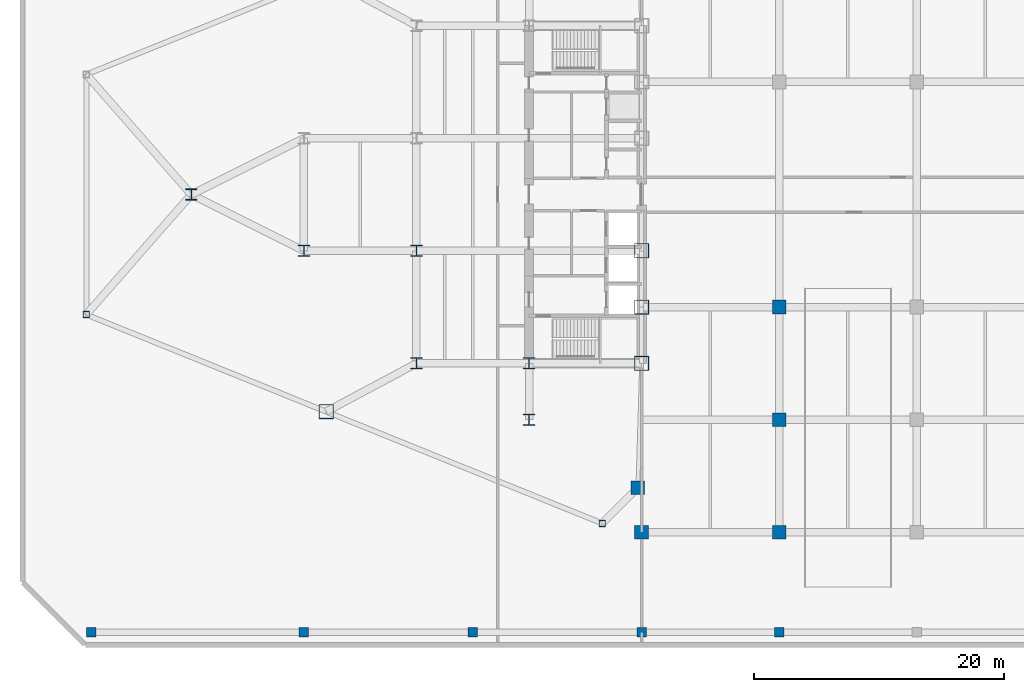
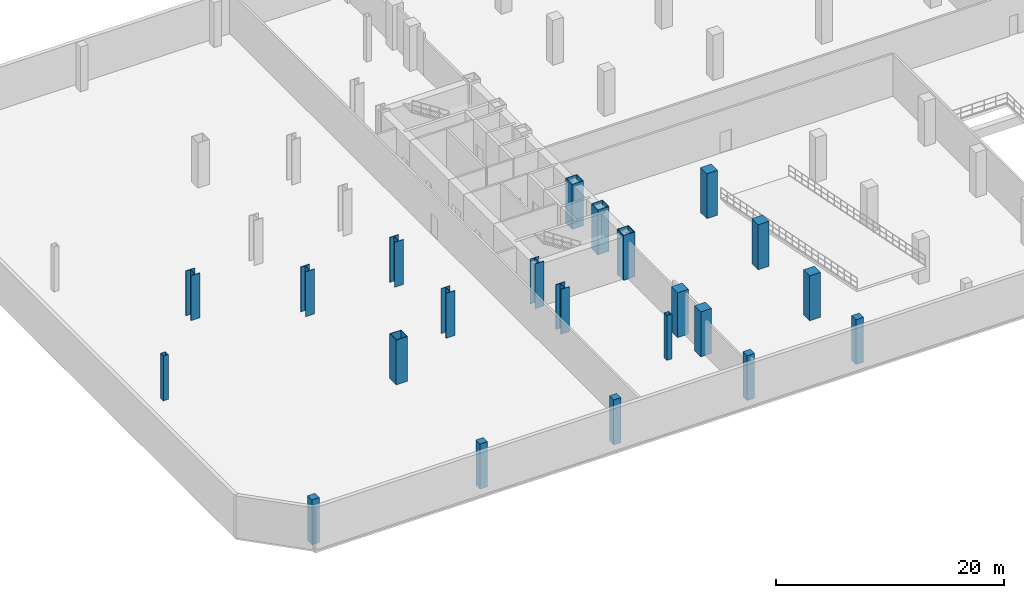
# One storey, part 1 of 18: 22 columns.
"""IFC4 building model written with IfcOpenShell, lengths in metres."""

from ifc_helpers import new_model, si_unit, direction, frame, origin, origin_2d, place, context, subcontext, project, spatial, rectangle, hollow_rectangle, i_section, extrude, source, transform, mapped, material, material_profile, profile_set, type_object, type_shapes, element, save


model = new_model("IFC4")

# Units and contexts
model_context = context("Model", 3, precision=1e-05, world=origin(), true_north=direction((0.0, 1.0)))
body_context = subcontext(model_context, "Body", "Model", "MODEL_VIEW")
ifc_project = project(units=[si_unit("LENGTHUNIT", "METRE"), si_unit("AREAUNIT", "SQUARE_METRE"), si_unit("VOLUMEUNIT", "CUBIC_METRE"), si_unit("PLANEANGLEUNIT", "RADIAN"), si_unit("MASSUNIT", "GRAM", prefix="KILO")], contexts=[model_context])

# Site, building, storey
site_placement = place(None, origin())
site = spatial("IfcSite", under=ifc_project, at=site_placement, CompositionType="ELEMENT")
building_placement = place(site_placement, origin())
building = spatial("IfcBuilding", under=site, at=building_placement, Name="Seokmaru Belvedere", CompositionType="ELEMENT")
storey_placement = place(building_placement, frame((0.0, 0.0, -4.800048828125)))
storey = spatial("IfcBuildingStorey", under=building, at=storey_placement, Name="B1", CompositionType="ELEMENT", Elevation=-4.800048828125)

# Columns
ifc_material_1 = material(Name="Steel HSA650 (650 MPa)", Category="steel")
ifc_material_profile_1 = material_profile(ifc_material_1, hollow_rectangle(XDim=1.14990234375, YDim=1.14990234375, WallThickness=0.048095703125, at=origin_2d()), Name="BOX-1150x1150x48")
ifc_profile_set_1 = profile_set([ifc_material_profile_1], Name="Steel HSA650 (650 MPa)")
column_type_1 = type_object("IfcColumnType", Name="Portal Spine Column BOX-1150", PredefinedType="COLUMN", material=ifc_profile_set_1)
shared_shape_1 = source(origin(), body_context, "Body", "SweptSolid", [
    extrude(hollow_rectangle(XDim=1.14990234375, YDim=1.14990234375, WallThickness=0.048095703125, at=origin_2d()), origin(), (0.0, 0.0, 1.0), 4.800048828125),
])
type_shapes(column_type_1, [shared_shape_1])
for number, where, z_axis, x_axis, name in (
    (1, (-27.5, -13.5, 0.0), (0.0, 0.0, 1.0), (1.0, 0.0, 0.0), "B1 Column WS1"),
    (2, (-27.5, -9.0, 0.0), (0.0, 0.0, 1.0), (1.0, 0.0, 0.0), "B1 Column WS2"),
    (3, (-27.5, -4.5, 0.0), (0.0, 0.0, 1.0), (1.0, 0.0, 0.0), "B1 Column WS3"),
    (4, (-52.715576171875, -17.360595703125, 0.0), (0.0, 0.0, 1.0), (1.0, 0.0, 0.0), "B1 Column WFLK_S2"),
):
    element("IfcColumn", number, at=place(storey_placement, frame(where, z_axis=z_axis, x_axis=x_axis)), inside=storey, type_object=column_type_1, Name=name, PredefinedType="COLUMN", context=body_context, shape_type="MappedRepresentation", body=[
        mapped(shared_shape_1, transform((0.0, 0.0, 0.0), scale=1.0)),
    ])
ifc_material_2 = material(Name="Concrete C60 (60 MPa)", Category="concrete")
ifc_material_profile_2 = material_profile(ifc_material_2, rectangle(XDim=1.10009765625, YDim=1.10009765625, at=origin_2d()), Name="RC-1100x1100")
ifc_profile_set_2 = profile_set([ifc_material_profile_2], Name="Concrete C60 (60 MPa)")
column_type_2 = type_object("IfcColumnType", Name="Basement Substructure Column RC-1100", PredefinedType="COLUMN", material=ifc_profile_set_2)
shared_shape_2 = source(origin(), body_context, "Body", "SweptSolid", [
    extrude(rectangle(XDim=1.10009765625, YDim=1.10009765625, at=origin_2d()), origin(), (0.0, 0.0, 1.0), 4.800048828125),
])
type_shapes(column_type_2, [shared_shape_2])
for number, where, z_axis, x_axis, name in (
    (5, (-27.5, -27.0, 0.0), (0.0, 0.0, 1.0), (1.0, 0.0, 0.0), "B1 Column WPS1"),
    (6, (-27.800048828125, -23.451416015625, 0.0), (0.0, 0.0, 1.0), (1.0, 0.0, 0.0), "B1 Column WPM_S"),
    (7, (-16.5, -27.0, 0.0), (0.0, 0.0, 1.0), (1.0, 0.0, 0.0), "B1 Column CP1_1"),
    (8, (-16.5, -18.0, 0.0), (0.0, 0.0, 1.0), (1.0, 0.0, 0.0), "B1 Column CP1_2"),
    (9, (-16.5, -9.0, 0.0), (0.0, 0.0, 1.0), (1.0, 0.0, 0.0), "B1 Column CP1_3"),
):
    element("IfcColumn", number, at=place(storey_placement, frame(where, z_axis=z_axis, x_axis=x_axis)), inside=storey, type_object=column_type_2, Name=name, PredefinedType="COLUMN", context=body_context, shape_type="MappedRepresentation", body=[
        mapped(shared_shape_2, transform((0.0, 0.0, 0.0), scale=1.0)),
    ])
ifc_material_profile_3 = material_profile(ifc_material_1, i_section(OverallWidth=0.89990234375, OverallDepth=0.89990234375, WebThickness=0.035888671875, FlangeThickness=0.054931640625, at=origin_2d()), Name="H-900x900x36x55")
ifc_profile_set_3 = profile_set([ifc_material_profile_3], Name="Steel HSA650 (650 MPa)")
column_type_3 = type_object("IfcColumnType", Name="Lower Interior Column H-900", PredefinedType="COLUMN", material=ifc_profile_set_3)
shared_shape_3 = source(origin(), body_context, "Body", "SweptSolid", [
    extrude(i_section(OverallWidth=0.89990234375, OverallDepth=0.89990234375, WebThickness=0.035888671875, FlangeThickness=0.054931640625, at=origin_2d()), origin(), (0.0, 0.0, 1.0), 4.800048828125),
])
type_shapes(column_type_3, [shared_shape_3])
for number, where, z_axis, x_axis, name in (
    (10, (-36.5, -18.0, 0.0), (0.0, 0.0, 1.0), (1.0, 0.0, 0.0), "B1 Column WC1"),
    (11, (-36.5, -13.5, 0.0), (0.0, 0.0, 1.0), (1.0, 0.0, 0.0), "B1 Column WC2"),
    (12, (-45.5, -13.5, 0.0), (0.0, 0.0, 1.0), (1.0, 0.0, 0.0), "B1 Column WG5_1"),
    (13, (-45.5, -4.5, 0.0), (0.0, 0.0, 1.0), (1.0, 0.0, 0.0), "B1 Column WG5_2"),
    (14, (-54.5, -4.5, 0.0), (0.0, 0.0, 1.0), (1.0, 0.0, 0.0), "B1 Column WG4P_1"),
    (15, (-63.5, 0.0, 0.0), (0.0, 0.0, 1.0), (1.0, 0.0, 0.0), "B1 Column WG3P_1"),
):
    element("IfcColumn", number, at=place(storey_placement, frame(where, z_axis=z_axis, x_axis=x_axis)), inside=storey, type_object=column_type_3, Name=name, PredefinedType="COLUMN", context=body_context, shape_type="MappedRepresentation", body=[
        mapped(shared_shape_3, transform((0.0, 0.0, 0.0), scale=1.0)),
    ])
ifc_material_3 = material(Name="Steel SM355 (355 MPa)", Category="steel")
ifc_material_profile_4 = material_profile(ifc_material_3, hollow_rectangle(XDim=0.5, YDim=0.5, WallThickness=0.02001953125, at=origin_2d()), Name="HSS-500x500x20")
ifc_profile_set_4 = profile_set([ifc_material_profile_4], Name="Steel SM355 (355 MPa)")
column_type_4 = type_object("IfcColumnType", Name="Perimeter Facet Column HSS-500", PredefinedType="COLUMN", material=ifc_profile_set_4)
shared_shape_4 = source(origin(), body_context, "Body", "SweptSolid", [
    extrude(hollow_rectangle(XDim=0.5, YDim=0.5, WallThickness=0.02001953125, at=origin_2d()), origin(), (0.0, 0.0, 1.0), 4.800048828125),
])
type_shapes(column_type_4, [shared_shape_4])
for number, where, z_axis, x_axis, name in (
    (16, (-71.89990234375, -9.595703125, 0.0), (0.0, 0.0, 1.0), (1.0, 0.0, 0.0), "B1 Column WF5"),
    (17, (-30.643310546875, -26.294677734375, 0.0), (0.0, 0.0, 1.0), (1.0, 0.0, 0.0), "B1 Column WF6"),
):
    element("IfcColumn", number, at=place(storey_placement, frame(where, z_axis=z_axis, x_axis=x_axis)), inside=storey, type_object=column_type_4, Name=name, PredefinedType="COLUMN", context=body_context, shape_type="MappedRepresentation", body=[
        mapped(shared_shape_4, transform((0.0, 0.0, 0.0), scale=1.0)),
    ])
ifc_material_4 = material(Name="Concrete C50 (50 MPa)", Category="concrete")
ifc_material_profile_5 = material_profile(ifc_material_4, rectangle(XDim=0.75, YDim=0.75, at=origin_2d()), Name="RC-750x750")
ifc_profile_set_5 = profile_set([ifc_material_profile_5], Name="Concrete C50 (50 MPa)")
column_type_5 = type_object("IfcColumnType", Name="Plaza Substructure Pier Column RC-750", PredefinedType="COLUMN", material=ifc_profile_set_5)
shared_shape_5 = source(origin(), body_context, "Body", "SweptSolid", [
    extrude(rectangle(XDim=0.75, YDim=0.75, at=origin_2d()), origin(), (0.0, 0.0, 1.0), 4.800048828125),
])
type_shapes(column_type_5, [shared_shape_5])
for number, where, z_axis, x_axis, name in (
    (18, (-71.5, -35.0, 0.0), (0.0, 0.0, 1.0), (1.0, 0.0, 0.0), "B1 Column PLZ_S1"),
    (19, (-54.5, -35.0, 0.0), (0.0, 0.0, 1.0), (1.0, 0.0, 0.0), "B1 Column PLZ_S2"),
    (20, (-41.0, -35.0, 0.0), (0.0, 0.0, 1.0), (1.0, 0.0, 0.0), "B1 Column PLZ_S3"),
    (21, (-27.5, -35.0, 0.0), (0.0, 0.0, 1.0), (1.0, 0.0, 0.0), "B1 Column PLZ_S4"),
    (22, (-16.5, -35.0, 0.0), (0.0, 0.0, 1.0), (1.0, 0.0, 0.0), "B1 Column PLZ_S5"),
):
    element("IfcColumn", number, at=place(storey_placement, frame(where, z_axis=z_axis, x_axis=x_axis)), inside=storey, type_object=column_type_5, Name=name, PredefinedType="COLUMN", context=body_context, shape_type="MappedRepresentation", body=[
        mapped(shared_shape_5, transform((0.0, 0.0, 0.0), scale=1.0)),
    ])

save(model, "model.ifc")
